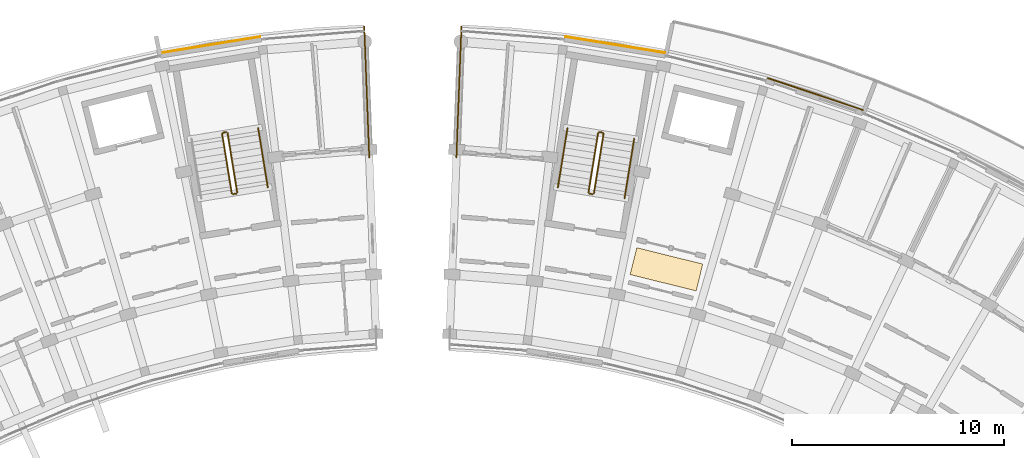
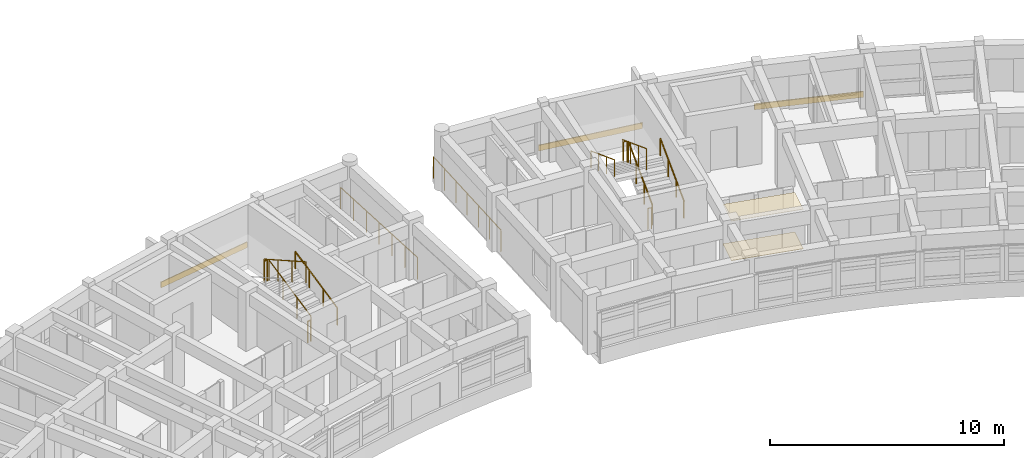
# One storey, part 43 of 50: 13 railings, 5 coverings.
"""IFC4 building model written with IfcOpenShell, lengths in metres."""

from ifc_helpers import new_model, si_unit, direction, frame, origin, origin_2d, place, context, subcontext, project, spatial, rectangle, circle, extrude, material, layer, layer_set, type_object, element, save


model = new_model("IFC4")

# Units and contexts
model_context = context("Model", 3, precision=1e-05, world=origin(), true_north=direction((0.0, 1.0)))
body_context = subcontext(model_context, "Body", "Model", "MODEL_VIEW")
ifc_project = project(units=[si_unit("LENGTHUNIT", "METRE"), si_unit("AREAUNIT", "SQUARE_METRE"), si_unit("VOLUMEUNIT", "CUBIC_METRE"), si_unit("PLANEANGLEUNIT", "RADIAN"), si_unit("MASSUNIT", "GRAM", prefix="KILO")], contexts=[model_context])

# Site, building, storey
site_placement = place(None, origin())
site = spatial("IfcSite", under=ifc_project, at=site_placement, CompositionType="ELEMENT")
building_placement = place(site_placement, origin())
building = spatial("IfcBuilding", under=site, at=building_placement, Name="Zimvara Arc Housing Community", CompositionType="ELEMENT")
storey_placement = place(building_placement, frame((0.0, 0.0, 26.699951171875)))
storey = spatial("IfcBuildingStorey", under=building, at=storey_placement, Name="L08", CompositionType="ELEMENT", Elevation=26.699951171875)

# Coverings
ifc_material_1 = material(Name="Pale-Gold Anodised Aluminium Cladding", Category="aluminium")
ifc_layer_1 = layer(ifc_material_1, 0.0400390625)
ifc_layer_set_1 = layer_set([ifc_layer_1], Name="Pale-Gold Anodised Aluminium Cladding")
covering_type_1 = type_object("IfcCoveringType", Name="CLD-GOLD-01", PredefinedType="CLADDING", material=ifc_layer_set_1)
covering_1_placement = place(storey_placement, frame((35.472900390625, 103.1923828125, 0.01025390625), z_axis=(0.0, 0.0, 1.0), x_axis=(0.987080395872, 0.160225753504, 0.0)))
element("IfcCovering", 1, at=covering_1_placement, inside=storey, type_object=covering_type_1, Name="cld:blkA:L08:out:b8", PredefinedType="CLADDING", context=body_context, shape_type="SweptSolid", body=[
    extrude(rectangle(XDim=4.748779296875, YDim=0.0400390625, at=origin_2d()), origin(), (0.0, 0.0, 1.0), 0.300048828125),
])
ifc_material_2 = material(Name="Pale-Gold Anodised Aluminium Cladding", Category="aluminium")
ifc_layer_2 = layer(ifc_material_2, 0.044921875)
ifc_layer_set_2 = layer_set([ifc_layer_2], Name="Pale-Gold Anodised Aluminium Cladding")
covering_type_2 = type_object("IfcCoveringType", Name="CLD-GOLD-02", PredefinedType="CLADDING", material=ifc_layer_set_2)
covering_2_placement = place(storey_placement, frame((54.527587890625, 103.19482421875, 0.01025390625), z_axis=(0.0, 0.0, 1.0), x_axis=(0.987080395872, -0.160225753504, 0.0)))
element("IfcCovering", 2, at=covering_2_placement, inside=storey, type_object=covering_type_2, Name="cld:blkB:L08:out:b1", PredefinedType="CLADDING", context=body_context, shape_type="SweptSolid", body=[
    extrude(rectangle(XDim=4.748779296875, YDim=0.044921875, at=origin_2d()), origin(), (0.0, 0.0, 1.0), 0.300048828125),
])
ifc_material_3 = material(Name="Pale-Gold Anodised Aluminium Cladding", Category="aluminium")
ifc_layer_3 = layer(ifc_material_3, 0.054931640625)
ifc_layer_set_3 = layer_set([ifc_layer_3], Name="Pale-Gold Anodised Aluminium Cladding")
covering_type_3 = type_object("IfcCoveringType", Name="CLD-GOLD-04", PredefinedType="CLADDING", material=ifc_layer_set_3)
covering_3_placement = place(storey_placement, frame((63.950439453125, 100.875244140625, 0.01025390625), z_axis=(0.0, 0.0, 1.0), x_axis=(0.947879690069, -0.318628456287, 0.0)))
element("IfcCovering", 3, at=covering_3_placement, inside=storey, type_object=covering_type_3, Name="cld:blkB:L08:out:b3", PredefinedType="CLADDING", context=body_context, shape_type="SweptSolid", body=[
    extrude(rectangle(XDim=4.748779296875, YDim=0.054931640625, at=origin_2d()), origin(), (0.0, 0.0, 1.0), 0.300048828125),
])
ifc_material_4 = material(Name="Perforated Acoustic Ceiling Board")
ifc_layer_4 = layer(ifc_material_4, 0.01806640625)
ifc_layer_set_4 = layer_set([ifc_layer_4], Name="Perforated Acoustic Ceiling Board")
covering_type_4 = type_object("IfcCoveringType", Name="COV-CEIL-01", PredefinedType="CEILING", material=ifc_layer_set_4)
covering_4_placement = place(storey_placement, frame((56.938232421875, 92.625, 2.06201171875), z_axis=(0.0, 0.0, 1.0), x_axis=(0.240228042477, 0.970716481578, 0.0)))
element("IfcCovering", 4, at=covering_4_placement, inside=storey, type_object=covering_type_4, Name="ceil:blkB:L08", PredefinedType="CEILING", context=body_context, shape_type="SweptSolid", body=[
    extrude(rectangle(XDim=1.300048828125, YDim=3.199951171875, at=origin_2d()), origin(), (0.0, 0.0, 1.0), 0.01806640625),
])
ifc_material_5 = material(Name="Polished Coastal Sand Terrazzo")
ifc_layer_5 = layer(ifc_material_5, 0.02001953125)
ifc_layer_set_5 = layer_set([ifc_layer_5], Name="Polished Coastal Sand Terrazzo")
covering_type_5 = type_object("IfcCoveringType", Name="COV-FLOR-01", PredefinedType="FLOORING", material=ifc_layer_set_5)
covering_5_placement = place(storey_placement, frame((56.938232421875, 92.625, 0.0), z_axis=(0.0, 0.0, 1.0), x_axis=(0.240228042477, 0.970716481578, 0.0)))
element("IfcCovering", 5, at=covering_5_placement, inside=storey, type_object=covering_type_5, Name="flor:blkB:L08", PredefinedType="FLOORING", context=body_context, shape_type="SweptSolid", body=[
    extrude(rectangle(XDim=1.300048828125, YDim=3.199951171875, at=origin_2d()), origin(), (0.0, 0.0, 1.0), 0.02001953125),
])

# Railings
ifc_material_6 = material(Name="Anodised Aluminium AW-6063", Category="aluminium")
railing_type_1 = type_object("IfcRailingType", Name="RLG-BAL-1120", PredefinedType="BALUSTRADE", material=ifc_material_6)
railing_1_placement = place(storey_placement, frame((36.732421875, 96.243896484375, 0.155029296875)))
element("IfcRailing", 6, at=railing_1_placement, inside=storey, type_object=railing_type_1, Name="L08 ST-A2 stair guard 1", PredefinedType="BALUSTRADE", context=body_context, shape_type="SweptSolid", body=[
    extrude(circle(Radius=0.02392578125, at=origin_2d()), frame((0.0, 0.0, 1.09619140625), z_axis=(-0.143721784145, 0.885666177347, 0.441519502474), x_axis=(-0.987087819028, -0.160180016, 0.0)), (0.0, 0.0, 1.0), 3.15966796875),
    extrude(circle(Radius=0.02099609375, at=origin_2d()), origin(), (0.0, 0.0, 1.0), 1.072021484375),
    extrude(circle(Radius=0.02099609375, at=origin_2d()), frame((-0.1513671875, 0.932861328125, 0.465087890625)), (0.0, 0.0, 1.0), 1.072021484375),
    extrude(circle(Radius=0.02099609375, at=origin_2d()), frame((-0.302734375, 1.865478515625, 0.929931640625)), (0.0, 0.0, 1.0), 1.072021484375),
    extrude(circle(Radius=0.02099609375, at=origin_2d()), frame((-0.4541015625, 2.79833984375, 1.39501953125)), (0.0, 0.0, 1.0), 1.072021484375),
])
railing_2_placement = place(storey_placement, frame((36.220947265625, 99.08349609375, 1.550048828125)))
element("IfcRailing", 7, at=railing_2_placement, inside=storey, type_object=railing_type_1, Name="L08 ST-A2 stair guard 2", PredefinedType="BALUSTRADE", context=body_context, shape_type="SweptSolid", body=[
    extrude(circle(Radius=0.02392578125, at=origin_2d()), frame((0.0, 0.0, 1.09619140625), z_axis=(-0.987085924886, -0.160191687964, 0.0), x_axis=(0.160191687964, -0.987085924886, 0.0)), (0.0, 0.0, 1.0), 0.159912109375),
    extrude(circle(Radius=0.02099609375, at=origin_2d()), origin(), (0.0, 0.0, 1.0), 1.072021484375),
    extrude(circle(Radius=0.02099609375, at=origin_2d()), frame((-0.157958984375, -0.025634765625, 0.0)), (0.0, 0.0, 1.0), 1.072021484375),
])
railing_3_placement = place(storey_placement, frame((36.021728515625, 99.00048828125, 1.705078125)))
element("IfcRailing", 8, at=railing_3_placement, inside=storey, type_object=railing_type_1, Name="L08 ST-A2 stair guard 3", PredefinedType="BALUSTRADE", context=body_context, shape_type="SweptSolid", body=[
    extrude(circle(Radius=0.02392578125, at=origin_2d()), frame((0.0, 0.0, 1.09619140625), z_axis=(0.143721784145, -0.885666177347, 0.441519502474), x_axis=(0.987087819028, 0.160180016, 0.0)), (0.0, 0.0, 1.0), 3.15966796875),
    extrude(circle(Radius=0.02099609375, at=origin_2d()), origin(), (0.0, 0.0, 1.0), 1.072021484375),
    extrude(circle(Radius=0.02099609375, at=origin_2d()), frame((0.1513671875, -0.932861328125, 0.465087890625)), (0.0, 0.0, 1.0), 1.072021484375),
    extrude(circle(Radius=0.02099609375, at=origin_2d()), frame((0.302734375, -1.865478515625, 0.929931640625)), (0.0, 0.0, 1.0), 1.072021484375),
    extrude(circle(Radius=0.02099609375, at=origin_2d()), frame((0.4541015625, -2.79833984375, 1.39501953125)), (0.0, 0.0, 1.0), 1.072021484375),
])
railing_4_placement = place(storey_placement, frame((36.691162109375, 96.1865234375, 0.0)))
element("IfcRailing", 9, at=railing_4_placement, inside=storey, type_object=railing_type_1, Name="L08 ST-A2 stair guard 4", PredefinedType="BALUSTRADE", context=body_context, shape_type="SweptSolid", body=[
    extrude(circle(Radius=0.02392578125, at=origin_2d()), frame((0.0, 0.0, 1.09619140625), z_axis=(-0.987085924886, -0.160191687964, 0.0), x_axis=(0.160191687964, -0.987085924886, 0.0)), (0.0, 0.0, 1.0), 0.159912109375),
    extrude(circle(Radius=0.02099609375, at=origin_2d()), origin(), (0.0, 0.0, 1.0), 1.072021484375),
    extrude(circle(Radius=0.02099609375, at=origin_2d()), frame((-0.157958984375, -0.025634765625, 0.0)), (0.0, 0.0, 1.0), 1.072021484375),
])
railing_5_placement = place(storey_placement, frame((53.524169921875, 96.2021484375, 0.155029296875)))
element("IfcRailing", 10, at=railing_5_placement, inside=storey, type_object=railing_type_1, Name="L08 ST-B1 stair guard 1", PredefinedType="BALUSTRADE", context=body_context, shape_type="SweptSolid", body=[
    extrude(circle(Radius=0.02392578125, at=origin_2d()), frame((0.0, 0.0, 1.09619140625), z_axis=(0.143721784145, 0.885666177347, 0.441519502474), x_axis=(-0.987087819028, 0.160180016, 0.0)), (0.0, 0.0, 1.0), 3.15966796875),
    extrude(circle(Radius=0.02099609375, at=origin_2d()), origin(), (0.0, 0.0, 1.0), 1.072021484375),
    extrude(circle(Radius=0.02099609375, at=origin_2d()), frame((0.1513671875, 0.932861328125, 0.465087890625)), (0.0, 0.0, 1.0), 1.072021484375),
    extrude(circle(Radius=0.02099609375, at=origin_2d()), frame((0.302734375, 1.865478515625, 0.929931640625)), (0.0, 0.0, 1.0), 1.072021484375),
    extrude(circle(Radius=0.02099609375, at=origin_2d()), frame((0.4541015625, 2.79833984375, 1.39501953125)), (0.0, 0.0, 1.0), 1.072021484375),
])
railing_6_placement = place(storey_placement, frame((53.93701171875, 99.057861328125, 1.550048828125)))
element("IfcRailing", 11, at=railing_6_placement, inside=storey, type_object=railing_type_1, Name="L08 ST-B1 stair guard 2", PredefinedType="BALUSTRADE", context=body_context, shape_type="SweptSolid", body=[
    extrude(circle(Radius=0.02392578125, at=origin_2d()), frame((0.0, 0.0, 1.09619140625), z_axis=(-0.987085924886, 0.160191687964, 0.0), x_axis=(-0.160191687964, -0.987085924886, 0.0)), (0.0, 0.0, 1.0), 0.159912109375),
    extrude(circle(Radius=0.02099609375, at=origin_2d()), origin(), (0.0, 0.0, 1.0), 1.072021484375),
    extrude(circle(Radius=0.02099609375, at=origin_2d()), frame((-0.157958984375, 0.025634765625, 0.0)), (0.0, 0.0, 1.0), 1.072021484375),
])
railing_7_placement = place(storey_placement, frame((53.7216796875, 99.042236328125, 1.705078125)))
element("IfcRailing", 12, at=railing_7_placement, inside=storey, type_object=railing_type_1, Name="L08 ST-B1 stair guard 3", PredefinedType="BALUSTRADE", context=body_context, shape_type="SweptSolid", body=[
    extrude(circle(Radius=0.02392578125, at=origin_2d()), frame((0.0, 0.0, 1.09619140625), z_axis=(-0.143721784145, -0.885666177347, 0.441519502474), x_axis=(0.987087819028, -0.160180016, 0.0)), (0.0, 0.0, 1.0), 3.15966796875),
    extrude(circle(Radius=0.02099609375, at=origin_2d()), origin(), (0.0, 0.0, 1.0), 1.072021484375),
    extrude(circle(Radius=0.02099609375, at=origin_2d()), frame((-0.1513671875, -0.932861328125, 0.465087890625)), (0.0, 0.0, 1.0), 1.072021484375),
    extrude(circle(Radius=0.02099609375, at=origin_2d()), frame((-0.302734375, -1.865478515625, 0.929931640625)), (0.0, 0.0, 1.0), 1.072021484375),
    extrude(circle(Radius=0.02099609375, at=origin_2d()), frame((-0.4541015625, -2.79833984375, 1.39501953125)), (0.0, 0.0, 1.0), 1.072021484375),
])
railing_8_placement = place(storey_placement, frame((53.466796875, 96.160888671875, 0.0)))
element("IfcRailing", 13, at=railing_8_placement, inside=storey, type_object=railing_type_1, Name="L08 ST-B1 stair guard 4", PredefinedType="BALUSTRADE", context=body_context, shape_type="SweptSolid", body=[
    extrude(circle(Radius=0.02392578125, at=origin_2d()), frame((0.0, 0.0, 1.09619140625), z_axis=(-0.987085924886, 0.160191687964, 0.0), x_axis=(-0.160191687964, -0.987085924886, 0.0)), (0.0, 0.0, 1.0), 0.159912109375),
    extrude(circle(Radius=0.02099609375, at=origin_2d()), origin(), (0.0, 0.0, 1.0), 1.072021484375),
    extrude(circle(Radius=0.02099609375, at=origin_2d()), frame((-0.157958984375, 0.025634765625, 0.0)), (0.0, 0.0, 1.0), 1.072021484375),
])
ifc_material_7 = material(Name="Anodised Aluminium AW-6063", Category="aluminium")
railing_type_2 = type_object("IfcRailingType", Name="RLG-BAL-1150", PredefinedType="BALUSTRADE", material=ifc_material_7)
railing_9_placement = place(storey_placement, frame((42.948486328125, 97.900634765625, 0.0)))
element("IfcRailing", 14, at=railing_9_placement, inside=storey, type_object=railing_type_2, Name="rlg:blkA:L08:gable_out:gN", PredefinedType="BALUSTRADE", context=body_context, shape_type="SweptSolid", body=[
    extrude(circle(Radius=0.02392578125, at=origin_2d()), frame((0.0, 0.0, 1.1259765625), z_axis=(-0.038364627964, 0.99926380667, 0.0), x_axis=(-0.99926380667, -0.038364627964, 0.0)), (0.0, 0.0, 1.0), 6.16015625),
    extrude(circle(Radius=0.02099609375, at=origin_2d()), origin(), (0.0, 0.0, 1.0), 1.101806640625),
    extrude(circle(Radius=0.02099609375, at=origin_2d()), frame((-0.039306640625, 1.02587890625, 0.0)), (0.0, 0.0, 1.0), 1.101806640625),
    extrude(circle(Radius=0.02099609375, at=origin_2d()), frame((-0.078857421875, 2.0517578125, 0.0)), (0.0, 0.0, 1.0), 1.101806640625),
    extrude(circle(Radius=0.02099609375, at=origin_2d()), frame((-0.1181640625, 3.07763671875, 0.0)), (0.0, 0.0, 1.0), 1.101806640625),
    extrude(circle(Radius=0.02099609375, at=origin_2d()), frame((-0.157470703125, 4.103759765625, 0.0)), (0.0, 0.0, 1.0), 1.101806640625),
    extrude(circle(Radius=0.02099609375, at=origin_2d()), frame((-0.197021484375, 5.129638671875, 0.0)), (0.0, 0.0, 1.0), 1.101806640625),
    extrude(circle(Radius=0.02099609375, at=origin_2d()), frame((-0.236328125, 6.155517578125, 0.0)), (0.0, 0.0, 1.0), 1.101806640625),
])
railing_10_placement = place(storey_placement, frame((47.051513671875, 97.900634765625, 0.0)))
element("IfcRailing", 15, at=railing_10_placement, inside=storey, type_object=railing_type_2, Name="rlg:blkB:L08:gable_out:g0", PredefinedType="BALUSTRADE", context=body_context, shape_type="SweptSolid", body=[
    extrude(circle(Radius=0.02392578125, at=origin_2d()), frame((0.0, 0.0, 1.1259765625), z_axis=(0.038364627964, 0.99926380667, 0.0), x_axis=(-0.99926380667, 0.038364627964, 0.0)), (0.0, 0.0, 1.0), 6.16015625),
    extrude(circle(Radius=0.02099609375, at=origin_2d()), origin(), (0.0, 0.0, 1.0), 1.101806640625),
    extrude(circle(Radius=0.02099609375, at=origin_2d()), frame((0.039306640625, 1.02587890625, 0.0)), (0.0, 0.0, 1.0), 1.101806640625),
    extrude(circle(Radius=0.02099609375, at=origin_2d()), frame((0.078857421875, 2.0517578125, 0.0)), (0.0, 0.0, 1.0), 1.101806640625),
    extrude(circle(Radius=0.02099609375, at=origin_2d()), frame((0.1181640625, 3.07763671875, 0.0)), (0.0, 0.0, 1.0), 1.101806640625),
    extrude(circle(Radius=0.02099609375, at=origin_2d()), frame((0.157470703125, 4.103759765625, 0.0)), (0.0, 0.0, 1.0), 1.101806640625),
    extrude(circle(Radius=0.02099609375, at=origin_2d()), frame((0.197021484375, 5.129638671875, 0.0)), (0.0, 0.0, 1.0), 1.101806640625),
    extrude(circle(Radius=0.02099609375, at=origin_2d()), frame((0.236328125, 6.155517578125, 0.0)), (0.0, 0.0, 1.0), 1.101806640625),
])
ifc_material_8 = material(Name="Anodised Aluminium AW-6063", Category="aluminium")
railing_type_3 = type_object("IfcRailingType", Name="RLG-HND-900", PredefinedType="HANDRAIL", material=ifc_material_8)
railing_11_placement = place(storey_placement, frame((38.173583984375, 96.477783203125, 0.155029296875)))
element("IfcRailing", 16, at=railing_11_placement, inside=storey, type_object=railing_type_3, Name="L08 ST-A2 stair handrail 1", PredefinedType="HANDRAIL", context=body_context, shape_type="SweptSolid", body=[
    extrude(circle(Radius=0.02392578125, at=origin_2d()), frame((0.0, 0.0, 0.8759765625), z_axis=(-0.143721784145, 0.885666177347, 0.441519502474), x_axis=(-0.987087819028, -0.160180016, 0.0)), (0.0, 0.0, 1.0), 3.15966796875),
    extrude(circle(Radius=0.02099609375, at=origin_2d()), origin(), (0.0, 0.0, 1.0), 0.851806640625),
    extrude(circle(Radius=0.02099609375, at=origin_2d()), frame((-0.1513671875, 0.932861328125, 0.465087890625)), (0.0, 0.0, 1.0), 0.851806640625),
    extrude(circle(Radius=0.02099609375, at=origin_2d()), frame((-0.302734375, 1.865478515625, 0.929931640625)), (0.0, 0.0, 1.0), 0.851806640625),
    extrude(circle(Radius=0.02099609375, at=origin_2d()), frame((-0.4541015625, 2.79833984375, 1.39501953125)), (0.0, 0.0, 1.0), 0.851806640625),
])
railing_12_placement = place(storey_placement, frame((54.96533203125, 95.96826171875, 0.155029296875)))
element("IfcRailing", 17, at=railing_12_placement, inside=storey, type_object=railing_type_3, Name="L08 ST-B1 stair handrail 1", PredefinedType="HANDRAIL", context=body_context, shape_type="SweptSolid", body=[
    extrude(circle(Radius=0.02392578125, at=origin_2d()), frame((0.0, 0.0, 0.8759765625), z_axis=(0.143721784145, 0.885666177347, 0.441519502474), x_axis=(-0.987087819028, 0.160180016, 0.0)), (0.0, 0.0, 1.0), 3.15966796875),
    extrude(circle(Radius=0.02099609375, at=origin_2d()), origin(), (0.0, 0.0, 1.0), 0.851806640625),
    extrude(circle(Radius=0.02099609375, at=origin_2d()), frame((0.1513671875, 0.932861328125, 0.465087890625)), (0.0, 0.0, 1.0), 0.851806640625),
    extrude(circle(Radius=0.02099609375, at=origin_2d()), frame((0.302734375, 1.865478515625, 0.929931640625)), (0.0, 0.0, 1.0), 0.851806640625),
    extrude(circle(Radius=0.02099609375, at=origin_2d()), frame((0.4541015625, 2.79833984375, 1.39501953125)), (0.0, 0.0, 1.0), 0.851806640625),
])
railing_13_placement = place(storey_placement, frame((52.280517578125, 99.276123046875, 1.705078125)))
element("IfcRailing", 18, at=railing_13_placement, inside=storey, type_object=railing_type_3, Name="L08 ST-B1 stair handrail 2", PredefinedType="HANDRAIL", context=body_context, shape_type="SweptSolid", body=[
    extrude(circle(Radius=0.02392578125, at=origin_2d()), frame((0.0, 0.0, 0.8759765625), z_axis=(-0.143721784145, -0.885666177347, 0.441519502474), x_axis=(0.987087819028, -0.160180016, 0.0)), (0.0, 0.0, 1.0), 3.15966796875),
    extrude(circle(Radius=0.02099609375, at=origin_2d()), origin(), (0.0, 0.0, 1.0), 0.851806640625),
    extrude(circle(Radius=0.02099609375, at=origin_2d()), frame((-0.1513671875, -0.932861328125, 0.465087890625)), (0.0, 0.0, 1.0), 0.851806640625),
    extrude(circle(Radius=0.02099609375, at=origin_2d()), frame((-0.302734375, -1.865478515625, 0.929931640625)), (0.0, 0.0, 1.0), 0.851806640625),
    extrude(circle(Radius=0.02099609375, at=origin_2d()), frame((-0.4541015625, -2.79833984375, 1.39501953125)), (0.0, 0.0, 1.0), 0.851806640625),
])

save(model, "model.ifc")
